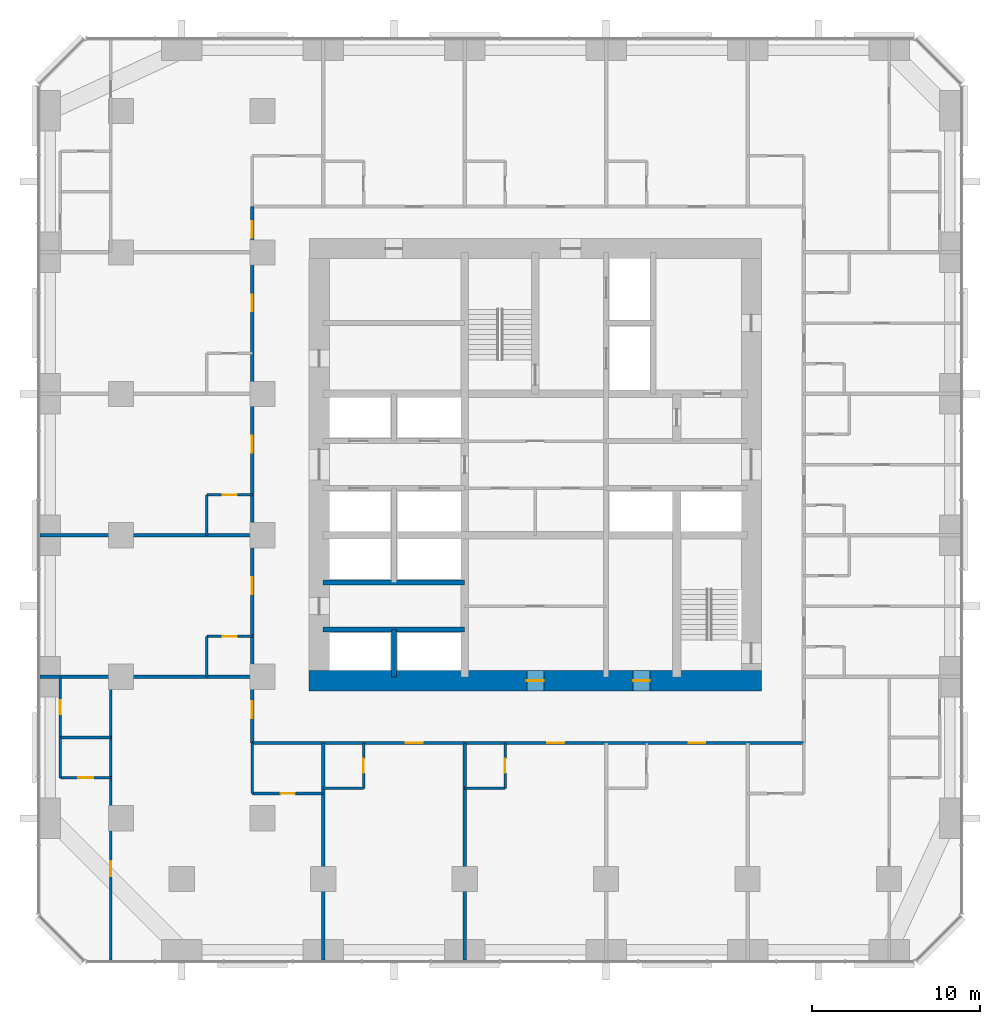
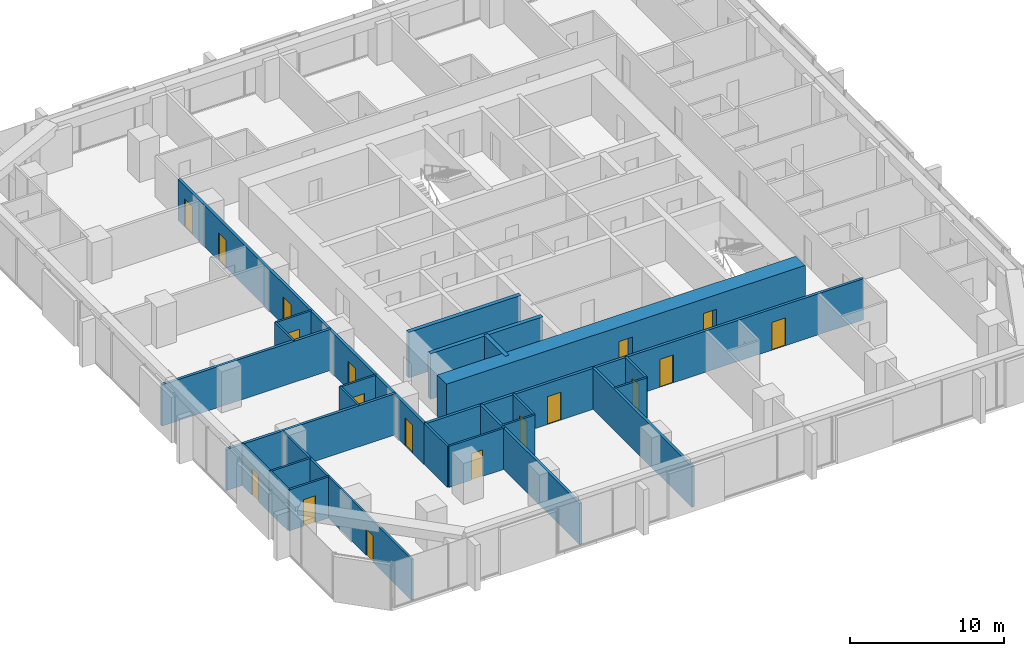
# One storey, part 8 of 13: 25 walls, 18 doors, 18 openings.
"""IFC4 building model written with IfcOpenShell, lengths in metres."""

from ifc_helpers import new_model, si_unit, direction, frame, frame_2d, origin, place, context, subcontext, project, spatial, rectangle, extrude, material, layer, layer_set, type_object, element, fill, save


model = new_model("IFC4")

# Units and contexts
model_context = context("Model", 3, precision=1e-05, world=origin(), true_north=direction((0.0, 1.0)))
body_context = subcontext(model_context, "Body", "Model", "MODEL_VIEW")
ifc_project = project(units=[si_unit("LENGTHUNIT", "METRE"), si_unit("AREAUNIT", "SQUARE_METRE"), si_unit("VOLUMEUNIT", "CUBIC_METRE"), si_unit("PLANEANGLEUNIT", "RADIAN"), si_unit("MASSUNIT", "GRAM", prefix="KILO")], contexts=[model_context])

# Site, building, storey
site_placement = place(None, origin())
site = spatial("IfcSite", under=ifc_project, at=site_placement, CompositionType="ELEMENT")
building_placement = place(site_placement, origin())
building = spatial("IfcBuilding", under=site, at=building_placement, Name="Dunama Terrace Hotel", CompositionType="ELEMENT")
storey_placement = place(building_placement, frame((0.0, 0.0, 115.199951171875)))
storey = spatial("IfcBuildingStorey", under=building, at=storey_placement, Name="L29", CompositionType="ELEMENT", Elevation=115.199951171875)

# Wall, opening, door
ifc_material_1 = material(Name="Gypsum board partition", Category="masonry")
ifc_layer_1 = layer(ifc_material_1, 0.14990234375)
ifc_layer_set_1 = layer_set([ifc_layer_1], Name="Bathroom partition 150")
wall_type_1 = type_object("IfcWallType", Name="Bathroom partition 150", PredefinedType="PARTITIONING", material=ifc_layer_set_1)
wall_1_placement = place(storey_placement, frame((1.199951171875, 13.199951171875, 0.0), z_axis=(0.0, 0.0, 1.0), x_axis=(0.0, 1.0, 0.0)))
wall_1 = element("IfcWall", 1, at=wall_1_placement, inside=storey, type_object=wall_type_1, Name="Bathroom partition 150 L29", PredefinedType="PARTITIONING", context=body_context, shape_type="SweptSolid", body=[
    extrude(rectangle(XDim=3.60009765625, YDim=0.14990234375, at=frame_2d((1.800048828125, 0.0))), origin(), (0.0, 0.0, 1.0), 3.25),
])
opening_1_placement = place(wall_1_placement, frame((1.375, 0.0, 0.0)))
opening_1 = element("IfcOpeningElement", 2, at=opening_1_placement, cuts=wall_1, Name="Opening L28-29-044", PredefinedType="OPENING", context=body_context, shape_type="SweptSolid", body=[
    extrude(rectangle(XDim=0.85009765625, YDim=2.10009765625, at=frame_2d((0.425048828125, 1.050048828125))), frame((0.0, 0.0849609375, 0.0), z_axis=(0.0, -1.0, 0.0), x_axis=(1.0, 0.0, 0.0)), (0.0, 0.0, 1.0), 0.169921875),
])
ifc_material_2 = material(Name="Timber door with steel frame", Category="steel")
door_type_1 = type_object("IfcDoorType", Name="Bathroom door 850", OperationType="SINGLE_SWING_LEFT", PredefinedType="DOOR", material=ifc_material_2)
door_1_placement = place(opening_1_placement, frame((0.85009765625, 0.0, 0.0), z_axis=(0.0, 0.0, 1.0), x_axis=(-1.0, 0.0, 0.0)))
door_1 = element("IfcDoor", 3, at=door_1_placement, inside=storey, type_object=door_type_1, Name="Door to en-suite bathroom L28-29-044, type D2", OperationType="SINGLE_SWING_LEFT", OverallHeight=2.10009765625, OverallWidth=0.85009765625, PredefinedType="DOOR", context=body_context, shape_type="SweptSolid", body=[
    extrude(rectangle(XDim=0.85009765625, YDim=2.10009765625, at=frame_2d((0.425048828125, 1.050048828125))), frame((0.0, 0.025146484375, 0.0), z_axis=(0.0, -1.0, 0.0), x_axis=(1.0, 0.0, 0.0)), (0.0, 0.0, 1.0), 0.050048828125),
])
fill(opening_1, door_1)

# Walls
wall_2_placement = place(storey_placement, frame((9.89990234375, 16.800048828125, 0.0), z_axis=(0.0, 0.0, 1.0), x_axis=(0.0, 1.0, 0.0)))
element("IfcWall", 4, at=wall_2_placement, inside=storey, type_object=wall_type_1, Name="Bathroom partition 150 L29", PredefinedType="PARTITIONING", context=body_context, shape_type="SweptSolid", body=[
    extrude(rectangle(XDim=2.39990234375, YDim=0.14990234375, at=frame_2d((1.199951171875, 0.0))), origin(), (0.0, 0.0, 1.0), 3.25),
])
wall_3_placement = place(storey_placement, frame((9.89990234375, 25.199951171875, 0.0), z_axis=(0.0, 0.0, 1.0), x_axis=(0.0, 1.0, 0.0)))
element("IfcWall", 5, at=wall_3_placement, inside=storey, type_object=wall_type_1, Name="Bathroom partition 150 L29", PredefinedType="PARTITIONING", context=body_context, shape_type="SweptSolid", body=[
    extrude(rectangle(XDim=2.400146484375, YDim=0.14990234375, at=frame_2d((1.2001953125, 0.0))), origin(), (0.0, 0.0, 1.0), 3.25),
])
wall_4_placement = place(storey_placement, frame((12.60009765625, 9.875, 0.0), z_axis=(0.0, 0.0, 1.0), x_axis=(0.0, 1.0, 0.0)))
element("IfcWall", 6, at=wall_4_placement, inside=storey, type_object=wall_type_1, Name="Bathroom partition 150 L29", PredefinedType="PARTITIONING", context=body_context, shape_type="SweptSolid", body=[
    extrude(rectangle(XDim=3.0, YDim=0.14990234375, at=frame_2d((1.5, 0.0))), origin(), (0.0, 0.0, 1.0), 3.25),
])

# Wall, opening, door
wall_5_placement = place(storey_placement, frame((19.199951171875, 10.175048828125, 0.0), z_axis=(0.0, 0.0, 1.0), x_axis=(0.0, 1.0, 0.0)))
wall_5 = element("IfcWall", 7, at=wall_5_placement, inside=storey, type_object=wall_type_1, Name="Bathroom partition 150 L29", PredefinedType="PARTITIONING", context=body_context, shape_type="SweptSolid", body=[
    extrude(rectangle(XDim=2.699951171875, YDim=0.14990234375, at=frame_2d((1.35009765625, 0.0))), origin(), (0.0, 0.0, 1.0), 3.25),
])
opening_2_placement = place(wall_5_placement, frame((0.925048828125, 0.0, 0.0)))
opening_2 = element("IfcOpeningElement", 8, at=opening_2_placement, cuts=wall_5, Name="Opening L28-29-012", PredefinedType="OPENING", context=body_context, shape_type="SweptSolid", body=[
    extrude(rectangle(XDim=0.85009765625, YDim=2.10009765625, at=frame_2d((0.425048828125, 1.050048828125))), frame((0.0, 0.0849609375, 0.0), z_axis=(0.0, -1.0, 0.0), x_axis=(1.0, 0.0, 0.0)), (0.0, 0.0, 1.0), 0.169921875),
])
door_2_placement = place(opening_2_placement, origin())
door_2 = element("IfcDoor", 9, at=door_2_placement, inside=storey, type_object=door_type_1, Name="Door to en-suite bathroom L28-29-012, type D2", OperationType="SINGLE_SWING_RIGHT", OverallHeight=2.10009765625, OverallWidth=0.85009765625, PredefinedType="DOOR", context=body_context, shape_type="SweptSolid", body=[
    extrude(rectangle(XDim=0.85009765625, YDim=2.10009765625, at=frame_2d((0.425048828125, 1.050048828125))), frame((0.0, 0.02490234375, 0.0), z_axis=(0.0, -1.0, 0.0), x_axis=(1.0, 0.0, 0.0)), (0.0, 0.0, 1.0), 0.050048828125),
])
fill(opening_2, door_2)

wall_6_placement = place(storey_placement, frame((27.60009765625, 10.175048828125, 0.0), z_axis=(0.0, 0.0, 1.0), x_axis=(0.0, 1.0, 0.0)))
wall_6 = element("IfcWall", 10, at=wall_6_placement, inside=storey, type_object=wall_type_1, Name="Bathroom partition 150 L29", PredefinedType="PARTITIONING", context=body_context, shape_type="SweptSolid", body=[
    extrude(rectangle(XDim=2.699951171875, YDim=0.14990234375, at=frame_2d((1.35009765625, 0.0))), origin(), (0.0, 0.0, 1.0), 3.25),
])
opening_3_placement = place(wall_6_placement, frame((0.925048828125, 0.0, 0.0)))
opening_3 = element("IfcOpeningElement", 11, at=opening_3_placement, cuts=wall_6, Name="Opening L28-29-014", PredefinedType="OPENING", context=body_context, shape_type="SweptSolid", body=[
    extrude(rectangle(XDim=0.85009765625, YDim=2.10009765625, at=frame_2d((0.425048828125, 1.050048828125))), frame((0.0, 0.0849609375, 0.0), z_axis=(0.0, -1.0, 0.0), x_axis=(1.0, 0.0, 0.0)), (0.0, 0.0, 1.0), 0.169921875),
])
door_3_placement = place(opening_3_placement, origin())
door_3 = element("IfcDoor", 12, at=door_3_placement, inside=storey, type_object=door_type_1, Name="Door to en-suite bathroom L28-29-014, type D2", OperationType="SINGLE_SWING_RIGHT", OverallHeight=2.10009765625, OverallWidth=0.85009765625, PredefinedType="DOOR", context=body_context, shape_type="SweptSolid", body=[
    extrude(rectangle(XDim=0.85009765625, YDim=2.10009765625, at=frame_2d((0.425048828125, 1.050048828125))), frame((0.0, 0.02490234375, 0.0), z_axis=(0.0, -1.0, 0.0), x_axis=(1.0, 0.0, 0.0)), (0.0, 0.0, 1.0), 0.050048828125),
])
fill(opening_3, door_3)

wall_7_placement = place(storey_placement, frame((12.60009765625, 9.875, 0.0), z_axis=(0.0, 0.0, 1.0), x_axis=(1.0, 0.0, 0.0)))
wall_7 = element("IfcWall", 13, at=wall_7_placement, inside=storey, type_object=wall_type_1, Name="Bathroom partition 150 L29", PredefinedType="PARTITIONING", context=body_context, shape_type="SweptSolid", body=[
    extrude(rectangle(XDim=4.199951171875, YDim=0.14990234375, at=frame_2d((2.10009765625, 0.0))), origin(), (0.0, 0.0, 1.0), 3.25),
])
opening_4_placement = place(wall_7_placement, frame((1.675048828125, 0.0, 0.0)))
opening_4 = element("IfcOpeningElement", 14, at=opening_4_placement, cuts=wall_7, Name="Opening L28-29-042", PredefinedType="OPENING", context=body_context, shape_type="SweptSolid", body=[
    extrude(rectangle(XDim=0.85009765625, YDim=2.10009765625, at=frame_2d((0.425048828125, 1.050048828125))), frame((0.0, 0.0849609375, 0.0), z_axis=(0.0, -1.0, 0.0), x_axis=(1.0, 0.0, 0.0)), (0.0, 0.0, 1.0), 0.169921875),
])
door_4_placement = place(opening_4_placement, origin())
door_4 = element("IfcDoor", 15, at=door_4_placement, inside=storey, type_object=door_type_1, Name="Door to powder room L28-29-042, type D2", OperationType="SINGLE_SWING_LEFT", OverallHeight=2.10009765625, OverallWidth=0.85009765625, PredefinedType="DOOR", context=body_context, shape_type="SweptSolid", body=[
    extrude(rectangle(XDim=0.85009765625, YDim=2.10009765625, at=frame_2d((0.425048828125, 1.050048828125))), frame((0.0, 0.02490234375, 0.0), z_axis=(0.0, -1.0, 0.0), x_axis=(1.0, 0.0, 0.0)), (0.0, 0.0, 1.0), 0.050048828125),
])
fill(opening_4, door_4)

# Walls
wall_8_placement = place(storey_placement, frame((16.800048828125, 10.175048828125, 0.0), z_axis=(0.0, 0.0, 1.0), x_axis=(1.0, 0.0, 0.0)))
element("IfcWall", 16, at=wall_8_placement, inside=storey, type_object=wall_type_1, Name="Bathroom partition 150 L29", PredefinedType="PARTITIONING", context=body_context, shape_type="SweptSolid", body=[
    extrude(rectangle(XDim=2.39990234375, YDim=0.14990234375, at=frame_2d((1.199951171875, 0.0))), origin(), (0.0, 0.0, 1.0), 3.25),
])
wall_9_placement = place(storey_placement, frame((25.199951171875, 10.175048828125, 0.0), z_axis=(0.0, 0.0, 1.0), x_axis=(1.0, 0.0, 0.0)))
element("IfcWall", 17, at=wall_9_placement, inside=storey, type_object=wall_type_1, Name="Bathroom partition 150 L29", PredefinedType="PARTITIONING", context=body_context, shape_type="SweptSolid", body=[
    extrude(rectangle(XDim=2.400146484375, YDim=0.14990234375, at=frame_2d((1.2001953125, 0.0))), origin(), (0.0, 0.0, 1.0), 3.25),
])

# Wall, opening, door
wall_10_placement = place(storey_placement, frame((9.89990234375, 19.199951171875, 0.0), z_axis=(0.0, 0.0, 1.0), x_axis=(1.0, 0.0, 0.0)))
wall_10 = element("IfcWall", 18, at=wall_10_placement, inside=storey, type_object=wall_type_1, Name="Bathroom partition 150 L29", PredefinedType="PARTITIONING", context=body_context, shape_type="SweptSolid", body=[
    extrude(rectangle(XDim=2.7001953125, YDim=0.14990234375, at=frame_2d((1.35009765625, 0.0))), origin(), (0.0, 0.0, 1.0), 3.25),
])
opening_5_placement = place(wall_10_placement, frame((0.925048828125, 0.0, 0.0)))
opening_5 = element("IfcOpeningElement", 19, at=opening_5_placement, cuts=wall_10, Name="Opening L28-29-036", PredefinedType="OPENING", context=body_context, shape_type="SweptSolid", body=[
    extrude(rectangle(XDim=0.85009765625, YDim=2.10009765625, at=frame_2d((0.425048828125, 1.050048828125))), frame((0.0, 0.0849609375, 0.0), z_axis=(0.0, -1.0, 0.0), x_axis=(1.0, 0.0, 0.0)), (0.0, 0.0, 1.0), 0.169921875),
])
door_5_placement = place(opening_5_placement, frame((0.85009765625, 0.0, 0.0), z_axis=(0.0, 0.0, 1.0), x_axis=(-1.0, 0.0, 0.0)))
door_5 = element("IfcDoor", 20, at=door_5_placement, inside=storey, type_object=door_type_1, Name="Door to en-suite bathroom L28-29-036, type D2", OperationType="SINGLE_SWING_LEFT", OverallHeight=2.10009765625, OverallWidth=0.85009765625, PredefinedType="DOOR", context=body_context, shape_type="SweptSolid", body=[
    extrude(rectangle(XDim=0.85009765625, YDim=2.10009765625, at=frame_2d((0.425048828125, 1.050048828125))), frame((0.0, 0.025146484375, 0.0), z_axis=(0.0, -1.0, 0.0), x_axis=(1.0, 0.0, 0.0)), (0.0, 0.0, 1.0), 0.050048828125),
])
fill(opening_5, door_5)

wall_11_placement = place(storey_placement, frame((9.89990234375, 27.60009765625, 0.0), z_axis=(0.0, 0.0, 1.0), x_axis=(1.0, 0.0, 0.0)))
wall_11 = element("IfcWall", 21, at=wall_11_placement, inside=storey, type_object=wall_type_1, Name="Bathroom partition 150 L29", PredefinedType="PARTITIONING", context=body_context, shape_type="SweptSolid", body=[
    extrude(rectangle(XDim=2.7001953125, YDim=0.14990234375, at=frame_2d((1.35009765625, 0.0))), origin(), (0.0, 0.0, 1.0), 3.25),
])
opening_6_placement = place(wall_11_placement, frame((0.925048828125, 0.0, 0.0)))
opening_6 = element("IfcOpeningElement", 22, at=opening_6_placement, cuts=wall_11, Name="Opening L28-29-038", PredefinedType="OPENING", context=body_context, shape_type="SweptSolid", body=[
    extrude(rectangle(XDim=0.85009765625, YDim=2.10009765625, at=frame_2d((0.425048828125, 1.050048828125))), frame((0.0, 0.0849609375, 0.0), z_axis=(0.0, -1.0, 0.0), x_axis=(1.0, 0.0, 0.0)), (0.0, 0.0, 1.0), 0.169921875),
])
door_6_placement = place(opening_6_placement, frame((0.85009765625, 0.0, 0.0), z_axis=(0.0, 0.0, 1.0), x_axis=(-1.0, 0.0, 0.0)))
door_6 = element("IfcDoor", 23, at=door_6_placement, inside=storey, type_object=door_type_1, Name="Door to en-suite bathroom L28-29-038, type D2", OperationType="SINGLE_SWING_LEFT", OverallHeight=2.10009765625, OverallWidth=0.85009765625, PredefinedType="DOOR", context=body_context, shape_type="SweptSolid", body=[
    extrude(rectangle(XDim=0.85009765625, YDim=2.10009765625, at=frame_2d((0.425048828125, 1.050048828125))), frame((0.0, 0.025146484375, 0.0), z_axis=(0.0, -1.0, 0.0), x_axis=(1.0, 0.0, 0.0)), (0.0, 0.0, 1.0), 0.050048828125),
])
fill(opening_6, door_6)

# Walls
ifc_material_3 = material(Name="Concrete C50/60", Category="concrete")
ifc_layer_2 = layer(ifc_material_3, 0.300048828125)
ifc_layer_set_2 = layer_set([ifc_layer_2], Name="Core inner wall 300")
wall_type_2 = type_object("IfcWallType", Name="Core inner wall 300", PredefinedType="SHEAR", material=ifc_layer_set_2)
wall_12_placement = place(storey_placement, frame((21.0, 16.800048828125, -0.349853515625), z_axis=(0.0, 0.0, 1.0), x_axis=(0.0, 1.0, 0.0)))
element("IfcWall", 24, at=wall_12_placement, inside=storey, type_object=wall_type_2, Name="Core inner wall 300 L29", PredefinedType="SHEAR", context=body_context, shape_type="SweptSolid", body=[
    extrude(rectangle(XDim=2.800048828125, YDim=0.300048828125, at=frame_2d((1.39990234375, 0.0))), origin(), (0.0, 0.0, 1.0), 3.599853515625),
])
for number, where, z_axis, x_axis, name in (
    (25, (16.800048828125, 19.60009765625, -0.349853515625), (0.0, 0.0, 1.0), (1.0, 0.0, 0.0), "Core inner wall 300 L29"),
    (26, (16.800048828125, 22.39990234375, -0.349853515625), (0.0, 0.0, 1.0), (1.0, 0.0, 0.0), "Core inner wall 300 L29"),
):
    element("IfcWall", number, at=place(storey_placement, frame(where, z_axis=z_axis, x_axis=x_axis)), inside=storey, type_object=wall_type_2, Name=name, PredefinedType="SHEAR", context=body_context, shape_type="SweptSolid", body=[
        extrude(rectangle(XDim=8.39990234375, YDim=0.300048828125, at=frame_2d((4.199951171875, 0.0))), origin(), (0.0, 0.0, 1.0), 3.599853515625),
    ])

# Wall, openings, doors
ifc_material_4 = material(Name="Concrete C60/75", Category="concrete")
ifc_layer_3 = layer(ifc_material_4, 1.199951171875)
ifc_layer_set_3 = layer_set([ifc_layer_3], Name="Core wall 1200")
wall_type_3 = type_object("IfcWallType", Name="Core wall 1200", PredefinedType="SHEAR", material=ifc_layer_set_3)
wall_13_placement = place(storey_placement, frame((15.97509765625, 16.574951171875, -0.349853515625), z_axis=(0.0, 0.0, 1.0), x_axis=(1.0, 0.0, 0.0)))
wall_13 = element("IfcWall", 27, at=wall_13_placement, inside=storey, type_object=wall_type_3, Name="Core wall south L29", PredefinedType="SHEAR", context=body_context, shape_type="SweptSolid", body=[
    extrude(rectangle(XDim=26.849853515625, YDim=1.199951171875, at=frame_2d((13.4248046875, 0.0))), origin(), (0.0, 0.0, 1.0), 3.599853515625),
])
opening_7_placement = place(wall_13_placement, frame((12.925048828125, 0.0, 0.35009765625)))
opening_7 = element("IfcOpeningElement", 28, at=opening_7_placement, cuts=wall_13, Name="Opening L28-29-074", PredefinedType="OPENING", context=body_context, shape_type="SweptSolid", body=[
    extrude(rectangle(XDim=1.0, YDim=2.10009765625, at=frame_2d((0.5, 1.050048828125))), frame((0.0, 0.60986328125, 0.0), z_axis=(0.0, -1.0, 0.0), x_axis=(1.0, 0.0, 0.0)), (0.0, 0.0, 1.0), 1.219970703125),
])
opening_8_placement = place(wall_13_placement, frame((19.22509765625, 0.0, 0.35009765625)))
opening_8 = element("IfcOpeningElement", 29, at=opening_8_placement, cuts=wall_13, Name="Opening L28-29-076", PredefinedType="OPENING", context=body_context, shape_type="SweptSolid", body=[
    extrude(rectangle(XDim=1.0, YDim=2.10009765625, at=frame_2d((0.5, 1.050048828125))), frame((0.0, 0.60986328125, 0.0), z_axis=(0.0, -1.0, 0.0), x_axis=(1.0, 0.0, 0.0)), (0.0, 0.0, 1.0), 1.219970703125),
])
ifc_material_5 = material(Name="Timber door with steel frame", Category="steel")
door_type_2 = type_object("IfcDoorType", Name="Service door 1000", OperationType="SINGLE_SWING_LEFT", PredefinedType="DOOR", material=ifc_material_5)
door_7_placement = place(opening_7_placement, origin())
door_7 = element("IfcDoor", 30, at=door_7_placement, inside=storey, type_object=door_type_2, Name="Door to corridor air handling room L28-29-074, type D7", OperationType="SINGLE_SWING_LEFT", OverallHeight=2.10009765625, OverallWidth=1.0, PredefinedType="DOOR", context=body_context, shape_type="SweptSolid", body=[
    extrude(rectangle(XDim=1.0, YDim=2.10009765625, at=frame_2d((0.5, 1.050048828125))), frame((0.0, 0.02490234375, 0.0), z_axis=(0.0, -1.0, 0.0), x_axis=(1.0, 0.0, 0.0)), (0.0, 0.0, 1.0), 0.050048828125),
])
fill(opening_7, door_7)
door_8_placement = place(opening_8_placement, origin())
door_8 = element("IfcDoor", 31, at=door_8_placement, inside=storey, type_object=door_type_2, Name="Door to water riser room L28-29-076, type D7", OperationType="SINGLE_SWING_RIGHT", OverallHeight=2.10009765625, OverallWidth=1.0, PredefinedType="DOOR", context=body_context, shape_type="SweptSolid", body=[
    extrude(rectangle(XDim=1.0, YDim=2.10009765625, at=frame_2d((0.5, 1.050048828125))), frame((0.0, 0.02490234375, 0.0), z_axis=(0.0, -1.0, 0.0), x_axis=(1.0, 0.0, 0.0)), (0.0, 0.0, 1.0), 0.050048828125),
])
fill(opening_8, door_8)

ifc_material_6 = material(Name="Concrete blockwork", Category="masonry")
ifc_layer_4 = layer(ifc_material_6, 0.199951171875)
ifc_layer_set_4 = layer_set([ifc_layer_4], Name="Corridor partition 200")
wall_type_4 = type_object("IfcWallType", Name="Corridor partition 200", PredefinedType="PARTITIONING", material=ifc_layer_set_4)
wall_14_placement = place(storey_placement, frame((12.60009765625, 12.875, 0.0), z_axis=(0.0, 0.0, 1.0), x_axis=(0.0, 1.0, 0.0)))
wall_14 = element("IfcWall", 32, at=wall_14_placement, inside=storey, type_object=wall_type_4, Name="Corridor partition 200 L29", PredefinedType="PARTITIONING", context=body_context, shape_type="SweptSolid", body=[
    extrude(rectangle(XDim=31.85009765625, YDim=0.199951171875, at=frame_2d((15.925048828125, 0.0))), origin(), (0.0, 0.0, 1.0), 3.25),
])
opening_9_placement = place(wall_14_placement, frame((8.824951171875, 0.0, 0.0)))
opening_9 = element("IfcOpeningElement", 33, at=opening_9_placement, cuts=wall_14, Name="Opening L28-29-035", PredefinedType="OPENING", context=body_context, shape_type="SweptSolid", body=[
    extrude(rectangle(XDim=1.0, YDim=2.199951171875, at=frame_2d((0.5, 1.10009765625))), frame((0.0, 0.10986328125, 0.0), z_axis=(0.0, -1.0, 0.0), x_axis=(1.0, 0.0, 0.0)), (0.0, 0.0, 1.0), 0.219970703125),
])
opening_10_placement = place(wall_14_placement, frame((17.22509765625, 0.0, 0.0)))
opening_10 = element("IfcOpeningElement", 34, at=opening_10_placement, cuts=wall_14, Name="Opening L28-29-037", PredefinedType="OPENING", context=body_context, shape_type="SweptSolid", body=[
    extrude(rectangle(XDim=1.0, YDim=2.199951171875, at=frame_2d((0.5, 1.10009765625))), frame((0.0, 0.10986328125, 0.0), z_axis=(0.0, -1.0, 0.0), x_axis=(1.0, 0.0, 0.0)), (0.0, 0.0, 1.0), 0.219970703125),
])
opening_11_placement = place(wall_14_placement, frame((25.625, 0.0, 0.0)))
opening_11 = element("IfcOpeningElement", 35, at=opening_11_placement, cuts=wall_14, Name="Opening L28-29-039", PredefinedType="OPENING", context=body_context, shape_type="SweptSolid", body=[
    extrude(rectangle(XDim=1.0, YDim=2.199951171875, at=frame_2d((0.5, 1.10009765625))), frame((0.0, 0.10986328125, 0.0), z_axis=(0.0, -1.0, 0.0), x_axis=(1.0, 0.0, 0.0)), (0.0, 0.0, 1.0), 0.219970703125),
])
opening_12_placement = place(wall_14_placement, frame((1.462890625, 0.0, 0.0)))
opening_12 = element("IfcOpeningElement", 36, at=opening_12_placement, cuts=wall_14, Name="Opening L28-29-041", PredefinedType="OPENING", context=body_context, shape_type="SweptSolid", body=[
    extrude(rectangle(XDim=1.0, YDim=2.199951171875, at=frame_2d((0.5, 1.10009765625))), frame((0.0, 0.10986328125, 0.0), z_axis=(0.0, -1.0, 0.0), x_axis=(1.0, 0.0, 0.0)), (0.0, 0.0, 1.0), 0.219970703125),
])
opening_13_placement = place(wall_14_placement, frame((29.987060546875, 0.0, 0.0)))
opening_13 = element("IfcOpeningElement", 37, at=opening_13_placement, cuts=wall_14, Name="Opening L28-29-056", PredefinedType="OPENING", context=body_context, shape_type="SweptSolid", body=[
    extrude(rectangle(XDim=1.0, YDim=2.199951171875, at=frame_2d((0.5, 1.10009765625))), frame((0.0, 0.10986328125, 0.0), z_axis=(0.0, -1.0, 0.0), x_axis=(1.0, 0.0, 0.0)), (0.0, 0.0, 1.0), 0.219970703125),
])
ifc_material_7 = material(Name="Timber door with steel frame", Category="steel")
door_type_3 = type_object("IfcDoorType", Name="Guest room door 1000", OperationType="SINGLE_SWING_LEFT", PredefinedType="DOOR", material=ifc_material_7)
door_9_placement = place(opening_9_placement, origin())
door_9 = element("IfcDoor", 38, at=door_9_placement, inside=storey, type_object=door_type_3, Name="Door to junior suite L28-29-035, type D1", OperationType="SINGLE_SWING_RIGHT", OverallHeight=2.199951171875, OverallWidth=1.0, PredefinedType="DOOR", context=body_context, shape_type="SweptSolid", body=[
    extrude(rectangle(XDim=1.0, YDim=2.199951171875, at=frame_2d((0.5, 1.10009765625))), frame((0.0, 0.02490234375, 0.0), z_axis=(0.0, -1.0, 0.0), x_axis=(1.0, 0.0, 0.0)), (0.0, 0.0, 1.0), 0.050048828125),
])
fill(opening_9, door_9)
door_10_placement = place(opening_10_placement, origin())
door_10 = element("IfcDoor", 39, at=door_10_placement, inside=storey, type_object=door_type_3, Name="Door to junior suite L28-29-037, type D1", OperationType="SINGLE_SWING_RIGHT", OverallHeight=2.199951171875, OverallWidth=1.0, PredefinedType="DOOR", context=body_context, shape_type="SweptSolid", body=[
    extrude(rectangle(XDim=1.0, YDim=2.199951171875, at=frame_2d((0.5, 1.10009765625))), frame((0.0, 0.02490234375, 0.0), z_axis=(0.0, -1.0, 0.0), x_axis=(1.0, 0.0, 0.0)), (0.0, 0.0, 1.0), 0.050048828125),
])
fill(opening_10, door_10)
door_11_placement = place(opening_11_placement, origin())
door_11 = element("IfcDoor", 40, at=door_11_placement, inside=storey, type_object=door_type_3, Name="Door to junior suite L28-29-039, type D1", OperationType="SINGLE_SWING_RIGHT", OverallHeight=2.199951171875, OverallWidth=1.0, PredefinedType="DOOR", context=body_context, shape_type="SweptSolid", body=[
    extrude(rectangle(XDim=1.0, YDim=2.199951171875, at=frame_2d((0.5, 1.10009765625))), frame((0.0, 0.02490234375, 0.0), z_axis=(0.0, -1.0, 0.0), x_axis=(1.0, 0.0, 0.0)), (0.0, 0.0, 1.0), 0.050048828125),
])
fill(opening_11, door_11)
door_12_placement = place(opening_12_placement, origin())
door_12 = element("IfcDoor", 41, at=door_12_placement, inside=storey, type_object=door_type_3, Name="Door to corner suite living room L28-29-041, type D1", OperationType="SINGLE_SWING_RIGHT", OverallHeight=2.199951171875, OverallWidth=1.0, PredefinedType="DOOR", context=body_context, shape_type="SweptSolid", body=[
    extrude(rectangle(XDim=1.0, YDim=2.199951171875, at=frame_2d((0.5, 1.10009765625))), frame((0.0, 0.02490234375, 0.0), z_axis=(0.0, -1.0, 0.0), x_axis=(1.0, 0.0, 0.0)), (0.0, 0.0, 1.0), 0.050048828125),
])
fill(opening_12, door_12)
door_13_placement = place(opening_13_placement, origin())
door_13 = element("IfcDoor", 42, at=door_13_placement, inside=storey, type_object=door_type_3, Name="Door to corner suite living room L28-29-056, type D1", OperationType="SINGLE_SWING_LEFT", OverallHeight=2.199951171875, OverallWidth=1.0, PredefinedType="DOOR", context=body_context, shape_type="SweptSolid", body=[
    extrude(rectangle(XDim=1.0, YDim=2.199951171875, at=frame_2d((0.5, 1.10009765625))), frame((0.0, 0.02490234375, 0.0), z_axis=(0.0, -1.0, 0.0), x_axis=(1.0, 0.0, 0.0)), (0.0, 0.0, 1.0), 0.050048828125),
])
fill(opening_13, door_13)

wall_15_placement = place(storey_placement, frame((45.324951171875, 12.875, 0.0), z_axis=(0.0, 0.0, 1.0), x_axis=(-1.0, 0.0, 0.0)))
wall_15 = element("IfcWall", 43, at=wall_15_placement, inside=storey, type_object=wall_type_4, Name="Corridor partition 200 L29", PredefinedType="PARTITIONING", context=body_context, shape_type="SweptSolid", body=[
    extrude(rectangle(XDim=32.724853515625, YDim=0.199951171875, at=frame_2d((16.3623046875, 0.0))), origin(), (0.0, 0.0, 1.0), 3.25),
])
opening_14_placement = place(wall_15_placement, frame((22.625, 0.0, 0.0)))
opening_14 = element("IfcOpeningElement", 44, at=opening_14_placement, cuts=wall_15, Name="Opening L28-29-011", PredefinedType="OPENING", context=body_context, shape_type="SweptSolid", body=[
    extrude(rectangle(XDim=1.0, YDim=2.199951171875, at=frame_2d((0.5, 1.10009765625))), frame((0.0, 0.10986328125, 0.0), z_axis=(0.0, -1.0, 0.0), x_axis=(1.0, 0.0, 0.0)), (0.0, 0.0, 1.0), 0.219970703125),
])
opening_15_placement = place(wall_15_placement, frame((14.22509765625, 0.0, 0.0)))
opening_15 = element("IfcOpeningElement", 45, at=opening_15_placement, cuts=wall_15, Name="Opening L28-29-013", PredefinedType="OPENING", context=body_context, shape_type="SweptSolid", body=[
    extrude(rectangle(XDim=1.0, YDim=2.199951171875, at=frame_2d((0.5, 1.10009765625))), frame((0.0, 0.10986328125, 0.0), z_axis=(0.0, -1.0, 0.0), x_axis=(1.0, 0.0, 0.0)), (0.0, 0.0, 1.0), 0.219970703125),
])
opening_16_placement = place(wall_15_placement, frame((5.824951171875, 0.0, 0.0)))
opening_16 = element("IfcOpeningElement", 46, at=opening_16_placement, cuts=wall_15, Name="Opening L28-29-015", PredefinedType="OPENING", context=body_context, shape_type="SweptSolid", body=[
    extrude(rectangle(XDim=1.0, YDim=2.199951171875, at=frame_2d((0.5, 1.10009765625))), frame((0.0, 0.10986328125, 0.0), z_axis=(0.0, -1.0, 0.0), x_axis=(1.0, 0.0, 0.0)), (0.0, 0.0, 1.0), 0.219970703125),
])
door_14_placement = place(opening_14_placement, origin())
door_14 = element("IfcDoor", 47, at=door_14_placement, inside=storey, type_object=door_type_3, Name="Door to junior suite L28-29-011, type D1", OperationType="SINGLE_SWING_LEFT", OverallHeight=2.199951171875, OverallWidth=1.0, PredefinedType="DOOR", context=body_context, shape_type="SweptSolid", body=[
    extrude(rectangle(XDim=1.0, YDim=2.199951171875, at=frame_2d((0.5, 1.10009765625))), frame((0.0, 0.02490234375, 0.0), z_axis=(0.0, -1.0, 0.0), x_axis=(1.0, 0.0, 0.0)), (0.0, 0.0, 1.0), 0.050048828125),
])
fill(opening_14, door_14)
door_15_placement = place(opening_15_placement, origin())
door_15 = element("IfcDoor", 48, at=door_15_placement, inside=storey, type_object=door_type_3, Name="Door to junior suite L28-29-013, type D1", OperationType="SINGLE_SWING_LEFT", OverallHeight=2.199951171875, OverallWidth=1.0, PredefinedType="DOOR", context=body_context, shape_type="SweptSolid", body=[
    extrude(rectangle(XDim=1.0, YDim=2.199951171875, at=frame_2d((0.5, 1.10009765625))), frame((0.0, 0.02490234375, 0.0), z_axis=(0.0, -1.0, 0.0), x_axis=(1.0, 0.0, 0.0)), (0.0, 0.0, 1.0), 0.050048828125),
])
fill(opening_15, door_15)
door_16_placement = place(opening_16_placement, origin())
door_16 = element("IfcDoor", 49, at=door_16_placement, inside=storey, type_object=door_type_3, Name="Door to junior suite L28-29-015, type D1", OperationType="SINGLE_SWING_LEFT", OverallHeight=2.199951171875, OverallWidth=1.0, PredefinedType="DOOR", context=body_context, shape_type="SweptSolid", body=[
    extrude(rectangle(XDim=1.0, YDim=2.199951171875, at=frame_2d((0.5, 1.10009765625))), frame((0.0, 0.02490234375, 0.0), z_axis=(0.0, -1.0, 0.0), x_axis=(1.0, 0.0, 0.0)), (0.0, 0.0, 1.0), 0.050048828125),
])
fill(opening_16, door_16)

# Walls
ifc_material_8 = material(Name="Concrete blockwork", Category="masonry")
ifc_layer_5 = layer(ifc_material_8, 0.199951171875)
ifc_layer_set_5 = layer_set([ifc_layer_5], Name="Party wall 200")
wall_type_5 = type_object("IfcWallType", Name="Party wall 200", PredefinedType="PARTITIONING", material=ifc_layer_set_5)
for number, where, z_axis, x_axis, name in (
    (50, (16.800048828125, -0.01806640625, 0.0), (0.0, 0.0, 1.0), (0.0, 1.0, 0.0), "Party wall 200 L29"),
    (51, (25.199951171875, -0.01806640625, 0.0), (0.0, 0.0, 1.0), (0.0, 1.0, 0.0), "Party wall 200 L29"),
):
    element("IfcWall", number, at=place(storey_placement, frame(where, z_axis=z_axis, x_axis=x_axis)), inside=storey, type_object=wall_type_5, Name=name, PredefinedType="PARTITIONING", context=body_context, shape_type="SweptSolid", body=[
        extrude(rectangle(XDim=12.89306640625, YDim=0.199951171875, at=frame_2d((6.446533203125, 0.0))), origin(), (0.0, 0.0, 1.0), 3.25),
    ])
for number, where, z_axis, x_axis, name in (
    (52, (-0.01806640625, 16.800048828125, 0.0), (0.0, 0.0, 1.0), (1.0, 0.0, 0.0), "Party wall 200 L29"),
    (53, (-0.01806640625, 25.199951171875, 0.0), (0.0, 0.0, 1.0), (1.0, 0.0, 0.0), "Party wall 200 L29"),
):
    element("IfcWall", number, at=place(storey_placement, frame(where, z_axis=z_axis, x_axis=x_axis)), inside=storey, type_object=wall_type_5, Name=name, PredefinedType="PARTITIONING", context=body_context, shape_type="SweptSolid", body=[
        extrude(rectangle(XDim=12.6181640625, YDim=0.199951171875, at=frame_2d((6.30908203125, 0.0))), origin(), (0.0, 0.0, 1.0), 3.25),
    ])
ifc_material_9 = material(Name="Gypsum board partition", Category="masonry")
ifc_layer_6 = layer(ifc_material_9, 0.14990234375)
ifc_layer_set_6 = layer_set([ifc_layer_6], Name="Room partition 150")
wall_type_6 = type_object("IfcWallType", Name="Room partition 150", PredefinedType="PARTITIONING", material=ifc_layer_set_6)
wall_16_placement = place(storey_placement, frame((1.199951171875, 10.800048828125, 0.0), z_axis=(0.0, 0.0, 1.0), x_axis=(0.0, 1.0, 0.0)))
element("IfcWall", 54, at=wall_16_placement, inside=storey, type_object=wall_type_6, Name="Room partition 150 L29", PredefinedType="PARTITIONING", context=body_context, shape_type="SweptSolid", body=[
    extrude(rectangle(XDim=2.39990234375, YDim=0.14990234375, at=frame_2d((1.199951171875, 0.0))), origin(), (0.0, 0.0, 1.0), 3.25),
])

# Wall, opening, door
wall_17_placement = place(storey_placement, frame((4.199951171875, -0.01806640625, 0.0), z_axis=(0.0, 0.0, 1.0), x_axis=(0.0, 1.0, 0.0)))
wall_17 = element("IfcWall", 55, at=wall_17_placement, inside=storey, type_object=wall_type_6, Name="Room partition 150 L29", PredefinedType="PARTITIONING", context=body_context, shape_type="SweptSolid", body=[
    extrude(rectangle(XDim=16.818115234375, YDim=0.14990234375, at=frame_2d((8.4091796875, 0.0))), origin(), (0.0, 0.0, 1.0), 3.25),
])
opening_17_placement = place(wall_17_placement, frame((4.968017578125, 0.0, 0.0)))
opening_17 = element("IfcOpeningElement", 56, at=opening_17_placement, cuts=wall_17, Name="Opening L28-29-043", PredefinedType="OPENING", context=body_context, shape_type="SweptSolid", body=[
    extrude(rectangle(XDim=0.89990234375, YDim=2.10009765625, at=frame_2d((0.449951171875, 1.050048828125))), frame((0.0, 0.0849609375, 0.0), z_axis=(0.0, -1.0, 0.0), x_axis=(1.0, 0.0, 0.0)), (0.0, 0.0, 1.0), 0.169921875),
])
ifc_material_10 = material(Name="Timber door with steel frame", Category="steel")
door_type_4 = type_object("IfcDoorType", Name="Suite internal door 900", OperationType="SINGLE_SWING_LEFT", PredefinedType="DOOR", material=ifc_material_10)
door_17_placement = place(opening_17_placement, origin())
door_17 = element("IfcDoor", 57, at=door_17_placement, inside=storey, type_object=door_type_4, Name="Door to corner suite bedroom L28-29-043, type D16", OperationType="SINGLE_SWING_RIGHT", OverallHeight=2.10009765625, OverallWidth=0.89990234375, PredefinedType="DOOR", context=body_context, shape_type="SweptSolid", body=[
    extrude(rectangle(XDim=0.89990234375, YDim=2.10009765625, at=frame_2d((0.449951171875, 1.050048828125))), frame((0.0, 0.02490234375, 0.0), z_axis=(0.0, -1.0, 0.0), x_axis=(1.0, 0.0, 0.0)), (0.0, 0.0, 1.0), 0.050048828125),
])
fill(opening_17, door_17)

wall_18_placement = place(storey_placement, frame((1.199951171875, 10.800048828125, 0.0), z_axis=(0.0, 0.0, 1.0), x_axis=(1.0, 0.0, 0.0)))
wall_18 = element("IfcWall", 58, at=wall_18_placement, inside=storey, type_object=wall_type_6, Name="Room partition 150 L29", PredefinedType="PARTITIONING", context=body_context, shape_type="SweptSolid", body=[
    extrude(rectangle(XDim=3.0, YDim=0.14990234375, at=frame_2d((1.5, 0.0))), origin(), (0.0, 0.0, 1.0), 3.25),
])
opening_18_placement = place(wall_18_placement, frame((1.050048828125, 0.0, 0.0)))
opening_18 = element("IfcOpeningElement", 59, at=opening_18_placement, cuts=wall_18, Name="Opening L28-29-045", PredefinedType="OPENING", context=body_context, shape_type="SweptSolid", body=[
    extrude(rectangle(XDim=0.89990234375, YDim=2.10009765625, at=frame_2d((0.449951171875, 1.050048828125))), frame((0.0, 0.0849609375, 0.0), z_axis=(0.0, -1.0, 0.0), x_axis=(1.0, 0.0, 0.0)), (0.0, 0.0, 1.0), 0.169921875),
])
door_18_placement = place(opening_18_placement, origin())
door_18 = element("IfcDoor", 60, at=door_18_placement, inside=storey, type_object=door_type_4, Name="Door to dressing room L28-29-045, type D16", OperationType="SINGLE_SWING_RIGHT", OverallHeight=2.10009765625, OverallWidth=0.89990234375, PredefinedType="DOOR", context=body_context, shape_type="SweptSolid", body=[
    extrude(rectangle(XDim=0.89990234375, YDim=2.10009765625, at=frame_2d((0.449951171875, 1.050048828125))), frame((0.0, 0.02490234375, 0.0), z_axis=(0.0, -1.0, 0.0), x_axis=(1.0, 0.0, 0.0)), (0.0, 0.0, 1.0), 0.050048828125),
])
fill(opening_18, door_18)

# Wall
wall_19_placement = place(storey_placement, frame((1.199951171875, 13.199951171875, 0.0), z_axis=(0.0, 0.0, 1.0), x_axis=(1.0, 0.0, 0.0)))
element("IfcWall", 61, at=wall_19_placement, inside=storey, type_object=wall_type_6, Name="Room partition 150 L29", PredefinedType="PARTITIONING", context=body_context, shape_type="SweptSolid", body=[
    extrude(rectangle(XDim=3.0, YDim=0.14990234375, at=frame_2d((1.5, 0.0))), origin(), (0.0, 0.0, 1.0), 3.25),
])

save(model, "model.ifc")
